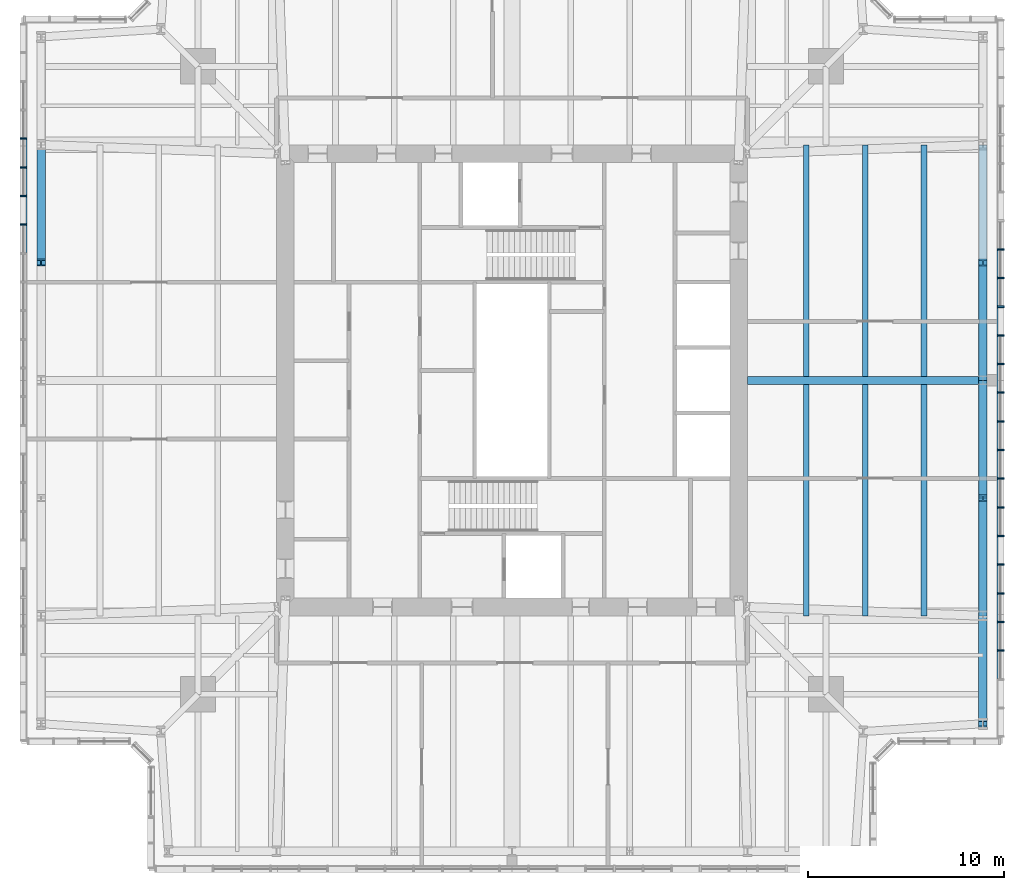
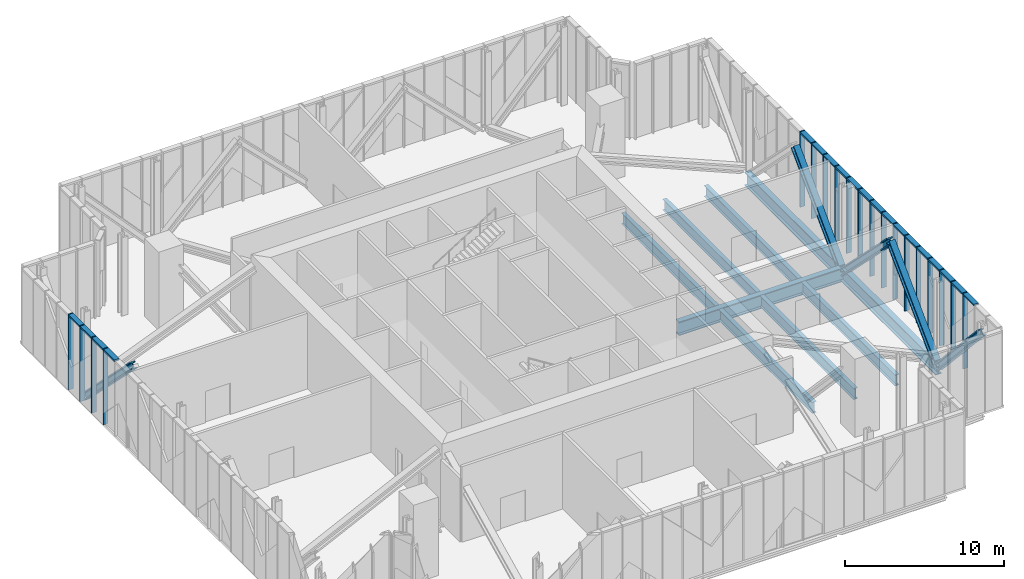
# One storey, part 5 of 18: 43 members, 9 beams, 2 elements without a shape of their own.
"""IFC4 building model written with IfcOpenShell, lengths in metres."""

from ifc_helpers import new_model, si_unit, direction, frame, origin, origin_2d, place, context, subcontext, project, spatial, rectangle, i_section, extrude, material, material_profile, profile_set, type_object, element, aggregate, save


model = new_model("IFC4")

# Units and contexts
model_context = context("Model", 3, precision=1e-05, world=origin(), true_north=direction((0.0, 1.0)))
body_context = subcontext(model_context, "Body", "Model", "MODEL_VIEW")
ifc_project = project(units=[si_unit("LENGTHUNIT", "METRE"), si_unit("AREAUNIT", "SQUARE_METRE"), si_unit("VOLUMEUNIT", "CUBIC_METRE"), si_unit("PLANEANGLEUNIT", "RADIAN"), si_unit("MASSUNIT", "GRAM", prefix="KILO")], contexts=[model_context])

# Site, building, storey
site_placement = place(None, origin())
site = spatial("IfcSite", under=ifc_project, at=site_placement, CompositionType="ELEMENT")
building_placement = place(site_placement, origin())
building = spatial("IfcBuilding", under=site, at=building_placement, Name="Fenwick Lantern Interchange", CompositionType="ELEMENT")
storey_placement = place(building_placement, frame((0.0, 0.0, 301.800048828125)))
storey = spatial("IfcBuildingStorey", under=building, at=storey_placement, Name="L73", CompositionType="ELEMENT", Elevation=301.800048828125)

# Members
ifc_material_1 = material(Name="Steel ASTM A992 Grade 50", Category="steel")
ifc_material_profile_1 = material_profile(ifc_material_1, i_section(OverallWidth=0.431884765625, OverallDepth=0.497802734375, WebThickness=0.0556640625, FlangeThickness=0.0888671875, at=origin_2d()), Name="W14X500")
ifc_profile_set_1 = profile_set([ifc_material_profile_1], Name="Steel ASTM A992 Grade 50")
member_type_1 = type_object("IfcMemberType", Name="BELT TRUSS DIAGONAL W14X500", PredefinedType="BRACE", material=ifc_profile_set_1)
member_1_placement = place(storey_placement, frame((49.0, 13.0, -0.650146484375), z_axis=(0.0, -0.675724628517, 0.737154140201), x_axis=(1.0, 0.0, 0.0)))
element("IfcMember", 1, at=member_1_placement, inside=storey, type_object=member_type_1, Name="L73/BT/E/D1", PredefinedType="BRACE", context=body_context, shape_type="SweptSolid", body=[
    extrude(i_section(OverallWidth=0.431884765625, OverallDepth=0.497802734375, WebThickness=0.0556640625, FlangeThickness=0.0888671875, at=origin_2d()), origin(), (0.0, 0.0, 1.0), 8.139404296875),
])
for number, where, z_axis, x_axis, name in (
    (2, (49.0, 13.0, -0.650146484375), (0.0, 0.707106781187, 0.707106781187), (-1.0, 0.0, 0.0), "L73/BT/E/D2"),
    (3, (49.0, 25.0, -0.650146484375), (0.0, -0.707106781187, 0.707106781187), (1.0, 0.0, 0.0), "L73/BT/E/D3"),
    (4, (49.0, 25.0, -0.650146484375), (0.0, 0.707106781187, 0.707106781187), (-1.0, 0.0, 0.0), "L73/BT/E/D4"),
    (5, (1.0, 37.0, -0.650146484375), (0.0, -0.707106781187, 0.707106781187), (1.0, 0.0, 0.0), "L73/BT/W/D2"),
):
    element("IfcMember", number, at=place(storey_placement, frame(where, z_axis=z_axis, x_axis=x_axis)), inside=storey, type_object=member_type_1, Name=name, PredefinedType="BRACE", context=body_context, shape_type="SweptSolid", body=[
        extrude(i_section(OverallWidth=0.431884765625, OverallDepth=0.497802734375, WebThickness=0.0556640625, FlangeThickness=0.0888671875, at=origin_2d()), origin(), (0.0, 0.0, 1.0), 8.4853515625),
    ])

# Beams
ifc_material_profile_2 = material_profile(ifc_material_1, i_section(OverallWidth=0.408935546875, OverallDepth=1.04150390625, WebThickness=0.031005859375, FlangeThickness=0.055908203125, at=origin_2d()), Name="W40X397")
ifc_profile_set_2 = profile_set([ifc_material_profile_2], Name="Steel ASTM A992 Grade 50")
beam_type_1 = type_object("IfcBeamType", Name="EDGE BEAM W40X397", PredefinedType="SPANDREL", material=ifc_profile_set_2)
for number, where, z_axis, x_axis, name in (
    (6, (49.0, 13.0, -0.720703125), (0.0, 1.0, 0.0), (-1.0, 0.0, 0.0), "L73/FR/E/EB2"),
    (7, (49.0, 25.0, -0.720703125), (0.0, 1.0, 0.0), (-1.0, 0.0, 0.0), "L73/FR/E/EB3"),
):
    element("IfcBeam", number, at=place(storey_placement, frame(where, z_axis=z_axis, x_axis=x_axis)), inside=storey, type_object=beam_type_1, Name=name, PredefinedType="SPANDREL", context=body_context, shape_type="SweptSolid", body=[
        extrude(i_section(OverallWidth=0.408935546875, OverallDepth=1.04150390625, WebThickness=0.031005859375, FlangeThickness=0.055908203125, at=origin_2d()), origin(), (0.0, 0.0, 1.0), 12.0),
    ])
ifc_material_profile_3 = material_profile(ifc_material_1, i_section(OverallWidth=0.2919921875, OverallDepth=0.845703125, WebThickness=0.015380859375, FlangeThickness=0.0244140625, at=origin_2d()), Name="W33X141")
ifc_profile_set_3 = profile_set([ifc_material_profile_3], Name="Steel ASTM A992 Grade 50")
beam_type_2 = type_object("IfcBeamType", Name="FLOOR BEAM W33X141", PredefinedType="BEAM", material=ifc_profile_set_3)
for number, where, z_axis, x_axis, name in (
    (8, (46.0, 13.0, -0.623046875), (0.0, 1.0, 0.0), (-1.0, 0.0, 0.0), "L73/FR/E/B01"),
    (9, (43.0, 13.0, -0.623046875), (0.0, 1.0, 0.0), (-1.0, 0.0, 0.0), "L73/FR/E/B02"),
    (10, (40.0, 13.0, -0.623046875), (0.0, 1.0, 0.0), (-1.0, 0.0, 0.0), "L73/FR/E/B03"),
    (11, (46.0, 25.20458984375, -0.623046875), (0.0, 1.0, 0.0), (-1.0, 0.0, 0.0), "L73/FR/E/B04"),
    (12, (43.0, 25.20458984375, -0.623046875), (0.0, 1.0, 0.0), (-1.0, 0.0, 0.0), "L73/FR/E/B05"),
    (13, (40.0, 25.20458984375, -0.623046875), (0.0, 1.0, 0.0), (-1.0, 0.0, 0.0), "L73/FR/E/B06"),
):
    element("IfcBeam", number, at=place(storey_placement, frame(where, z_axis=z_axis, x_axis=x_axis)), inside=storey, type_object=beam_type_2, Name=name, PredefinedType="BEAM", context=body_context, shape_type="SweptSolid", body=[
        extrude(i_section(OverallWidth=0.2919921875, OverallDepth=0.845703125, WebThickness=0.015380859375, FlangeThickness=0.0244140625, at=origin_2d()), origin(), (0.0, 0.0, 1.0), 11.79541015625),
    ])

# Curtain wall, members
ifc_material_2 = material(Name="Aluminium curtain wall frame", Category="aluminium")
curtain_wall_type = type_object("IfcCurtainWallType", Name="LANTERN GLAZING", PredefinedType="USERDEFINED", material=ifc_material_2)
curtain_wall_1_placement = place(storey_placement, origin())
curtain_wall_1 = element("IfcCurtainWall", 14, at=curtain_wall_1_placement, inside=storey, type_object=curtain_wall_type, Name="Lantern glazing 05", ObjectType="LANTERN GLAZING", PredefinedType="USERDEFINED")
ifc_material_3 = material(Name="Aluminium extrusion", Category="aluminium")
ifc_material_profile_4 = material_profile(ifc_material_3, rectangle(XDim=0.35009765625, YDim=0.080078125, at=origin_2d()), Name="LANTERN GLAZING MULLION 80 X 350")
ifc_profile_set_4 = profile_set([ifc_material_profile_4], Name="Aluminium extrusion")
member_type_2 = type_object("IfcMemberType", Name="LANTERN GLAZING MULLION 80 X 350", PredefinedType="MULLION", material=ifc_profile_set_4)
member_2_placement = place(storey_placement, frame((49.89990234375, 11.222412109375, 0.0), z_axis=(0.0, 0.0, 1.0), x_axis=(-1.0, 0.0, 0.0)))
member_2 = element("IfcMember", 15, at=member_2_placement, type_object=member_type_2, Name="L73/CW/05/M03", PredefinedType="MULLION", context=body_context, shape_type="SweptSolid", body=[
    extrude(rectangle(XDim=0.35009765625, YDim=0.080078125, at=origin_2d()), origin(), (0.0, 0.0, 1.0), 5.800048828125),
])
member_3_placement = place(storey_placement, frame((49.89990234375, 12.68310546875, 0.0), z_axis=(0.0, 0.0, 1.0), x_axis=(-1.0, 0.0, 0.0)))
member_3 = element("IfcMember", 16, at=member_3_placement, type_object=member_type_2, Name="L73/CW/05/M04", PredefinedType="MULLION", context=body_context, shape_type="SweptSolid", body=[
    extrude(rectangle(XDim=0.35009765625, YDim=0.080078125, at=origin_2d()), origin(), (0.0, 0.0, 1.0), 5.800048828125),
])
member_4_placement = place(storey_placement, frame((49.89990234375, 14.14404296875, 0.0), z_axis=(0.0, 0.0, 1.0), x_axis=(-1.0, 0.0, 0.0)))
member_4 = element("IfcMember", 17, at=member_4_placement, type_object=member_type_2, Name="L73/CW/05/M05", PredefinedType="MULLION", context=body_context, shape_type="SweptSolid", body=[
    extrude(rectangle(XDim=0.35009765625, YDim=0.080078125, at=origin_2d()), origin(), (0.0, 0.0, 1.0), 5.800048828125),
])
member_5_placement = place(storey_placement, frame((49.89990234375, 15.604736328125, 0.0), z_axis=(0.0, 0.0, 1.0), x_axis=(-1.0, 0.0, 0.0)))
member_5 = element("IfcMember", 18, at=member_5_placement, type_object=member_type_2, Name="L73/CW/05/M06", PredefinedType="MULLION", context=body_context, shape_type="SweptSolid", body=[
    extrude(rectangle(XDim=0.35009765625, YDim=0.080078125, at=origin_2d()), origin(), (0.0, 0.0, 1.0), 5.800048828125),
])
member_6_placement = place(storey_placement, frame((49.89990234375, 17.065673828125, 0.0), z_axis=(0.0, 0.0, 1.0), x_axis=(-1.0, 0.0, 0.0)))
member_6 = element("IfcMember", 19, at=member_6_placement, type_object=member_type_2, Name="L73/CW/05/M07", PredefinedType="MULLION", context=body_context, shape_type="SweptSolid", body=[
    extrude(rectangle(XDim=0.35009765625, YDim=0.080078125, at=origin_2d()), origin(), (0.0, 0.0, 1.0), 5.800048828125),
])
member_7_placement = place(storey_placement, frame((49.89990234375, 18.5263671875, 0.0), z_axis=(0.0, 0.0, 1.0), x_axis=(-1.0, 0.0, 0.0)))
member_7 = element("IfcMember", 20, at=member_7_placement, type_object=member_type_2, Name="L73/CW/05/M08", PredefinedType="MULLION", context=body_context, shape_type="SweptSolid", body=[
    extrude(rectangle(XDim=0.35009765625, YDim=0.080078125, at=origin_2d()), origin(), (0.0, 0.0, 1.0), 5.800048828125),
])
member_8_placement = place(storey_placement, frame((49.89990234375, 19.9873046875, 0.0), z_axis=(0.0, 0.0, 1.0), x_axis=(-1.0, 0.0, 0.0)))
member_8 = element("IfcMember", 21, at=member_8_placement, type_object=member_type_2, Name="L73/CW/05/M09", PredefinedType="MULLION", context=body_context, shape_type="SweptSolid", body=[
    extrude(rectangle(XDim=0.35009765625, YDim=0.080078125, at=origin_2d()), origin(), (0.0, 0.0, 1.0), 5.800048828125),
])
member_9_placement = place(storey_placement, frame((49.89990234375, 21.447998046875, 0.0), z_axis=(0.0, 0.0, 1.0), x_axis=(-1.0, 0.0, 0.0)))
member_9 = element("IfcMember", 22, at=member_9_placement, type_object=member_type_2, Name="L73/CW/05/M10", PredefinedType="MULLION", context=body_context, shape_type="SweptSolid", body=[
    extrude(rectangle(XDim=0.35009765625, YDim=0.080078125, at=origin_2d()), origin(), (0.0, 0.0, 1.0), 5.800048828125),
])
member_10_placement = place(storey_placement, frame((49.89990234375, 22.90869140625, 0.0), z_axis=(0.0, 0.0, 1.0), x_axis=(-1.0, 0.0, 0.0)))
member_10 = element("IfcMember", 23, at=member_10_placement, type_object=member_type_2, Name="L73/CW/05/M11", PredefinedType="MULLION", context=body_context, shape_type="SweptSolid", body=[
    extrude(rectangle(XDim=0.35009765625, YDim=0.080078125, at=origin_2d()), origin(), (0.0, 0.0, 1.0), 5.800048828125),
])
member_11_placement = place(storey_placement, frame((49.89990234375, 24.36962890625, 0.0), z_axis=(0.0, 0.0, 1.0), x_axis=(-1.0, 0.0, 0.0)))
member_11 = element("IfcMember", 24, at=member_11_placement, type_object=member_type_2, Name="L73/CW/05/M12", PredefinedType="MULLION", context=body_context, shape_type="SweptSolid", body=[
    extrude(rectangle(XDim=0.35009765625, YDim=0.080078125, at=origin_2d()), origin(), (0.0, 0.0, 1.0), 5.800048828125),
])
member_12_placement = place(storey_placement, frame((49.89990234375, 25.830322265625, 0.0), z_axis=(0.0, 0.0, 1.0), x_axis=(-1.0, 0.0, 0.0)))
member_12 = element("IfcMember", 25, at=member_12_placement, type_object=member_type_2, Name="L73/CW/05/M13", PredefinedType="MULLION", context=body_context, shape_type="SweptSolid", body=[
    extrude(rectangle(XDim=0.35009765625, YDim=0.080078125, at=origin_2d()), origin(), (0.0, 0.0, 1.0), 5.800048828125),
])
member_13_placement = place(storey_placement, frame((49.89990234375, 27.291259765625, 0.0), z_axis=(0.0, 0.0, 1.0), x_axis=(-1.0, 0.0, 0.0)))
member_13 = element("IfcMember", 26, at=member_13_placement, type_object=member_type_2, Name="L73/CW/05/M14", PredefinedType="MULLION", context=body_context, shape_type="SweptSolid", body=[
    extrude(rectangle(XDim=0.35009765625, YDim=0.080078125, at=origin_2d()), origin(), (0.0, 0.0, 1.0), 5.800048828125),
])
member_14_placement = place(storey_placement, frame((49.89990234375, 28.751953125, 0.0), z_axis=(0.0, 0.0, 1.0), x_axis=(-1.0, 0.0, 0.0)))
member_14 = element("IfcMember", 27, at=member_14_placement, type_object=member_type_2, Name="L73/CW/05/M15", PredefinedType="MULLION", context=body_context, shape_type="SweptSolid", body=[
    extrude(rectangle(XDim=0.35009765625, YDim=0.080078125, at=origin_2d()), origin(), (0.0, 0.0, 1.0), 5.800048828125),
])
member_15_placement = place(storey_placement, frame((49.89990234375, 30.212890625, 0.0), z_axis=(0.0, 0.0, 1.0), x_axis=(-1.0, 0.0, 0.0)))
member_15 = element("IfcMember", 28, at=member_15_placement, type_object=member_type_2, Name="L73/CW/05/M16", PredefinedType="MULLION", context=body_context, shape_type="SweptSolid", body=[
    extrude(rectangle(XDim=0.35009765625, YDim=0.080078125, at=origin_2d()), origin(), (0.0, 0.0, 1.0), 5.800048828125),
])
member_16_placement = place(storey_placement, frame((49.89990234375, 31.673583984375, 0.0), z_axis=(0.0, 0.0, 1.0), x_axis=(-1.0, 0.0, 0.0)))
member_16 = element("IfcMember", 29, at=member_16_placement, type_object=member_type_2, Name="L73/CW/05/M17", PredefinedType="MULLION", context=body_context, shape_type="SweptSolid", body=[
    extrude(rectangle(XDim=0.35009765625, YDim=0.080078125, at=origin_2d()), origin(), (0.0, 0.0, 1.0), 5.800048828125),
])

curtain_wall_2_placement = place(storey_placement, origin())
curtain_wall_2 = element("IfcCurtainWall", 30, at=curtain_wall_2_placement, inside=storey, type_object=curtain_wall_type, Name="Lantern glazing 13", ObjectType="LANTERN GLAZING", PredefinedType="USERDEFINED")
member_17_placement = place(storey_placement, frame((0.10009765625, 37.31689453125, 0.0), z_axis=(0.0, 0.0, 1.0), x_axis=(1.0, 0.0, 0.0)))
member_17 = element("IfcMember", 31, at=member_17_placement, type_object=member_type_2, Name="L73/CW/13/M04", PredefinedType="MULLION", context=body_context, shape_type="SweptSolid", body=[
    extrude(rectangle(XDim=0.35009765625, YDim=0.080078125, at=origin_2d()), origin(), (0.0, 0.0, 1.0), 5.800048828125),
])
member_18_placement = place(storey_placement, frame((0.10009765625, 35.85595703125, 0.0), z_axis=(0.0, 0.0, 1.0), x_axis=(1.0, 0.0, 0.0)))
member_18 = element("IfcMember", 32, at=member_18_placement, type_object=member_type_2, Name="L73/CW/13/M05", PredefinedType="MULLION", context=body_context, shape_type="SweptSolid", body=[
    extrude(rectangle(XDim=0.35009765625, YDim=0.080078125, at=origin_2d()), origin(), (0.0, 0.0, 1.0), 5.800048828125),
])
member_19_placement = place(storey_placement, frame((0.10009765625, 34.395263671875, 0.0), z_axis=(0.0, 0.0, 1.0), x_axis=(1.0, 0.0, 0.0)))
member_19 = element("IfcMember", 33, at=member_19_placement, type_object=member_type_2, Name="L73/CW/13/M06", PredefinedType="MULLION", context=body_context, shape_type="SweptSolid", body=[
    extrude(rectangle(XDim=0.35009765625, YDim=0.080078125, at=origin_2d()), origin(), (0.0, 0.0, 1.0), 5.800048828125),
])
member_20_placement = place(storey_placement, frame((0.10009765625, 32.934326171875, 0.0), z_axis=(0.0, 0.0, 1.0), x_axis=(1.0, 0.0, 0.0)))
member_20 = element("IfcMember", 34, at=member_20_placement, type_object=member_type_2, Name="L73/CW/13/M07", PredefinedType="MULLION", context=body_context, shape_type="SweptSolid", body=[
    extrude(rectangle(XDim=0.35009765625, YDim=0.080078125, at=origin_2d()), origin(), (0.0, 0.0, 1.0), 5.800048828125),
])

# Member
ifc_material_profile_5 = material_profile(ifc_material_3, rectangle(XDim=0.35009765625, YDim=0.139892578125, at=origin_2d()), Name="LANTERN GLAZING TRANSOM 140 X 350")
ifc_profile_set_5 = profile_set([ifc_material_profile_5], Name="Aluminium extrusion")
member_type_3 = type_object("IfcMemberType", Name="LANTERN GLAZING TRANSOM 140 X 350", PredefinedType="MULLION", material=ifc_profile_set_5)
member_21_placement = place(storey_placement, frame((49.89990234375, 9.801513671875, 5.72998046875), z_axis=(0.0, 1.0, 0.0), x_axis=(-1.0, 0.0, 0.0)))
member_21 = element("IfcMember", 35, at=member_21_placement, type_object=member_type_3, Name="L73/CW/05/T02", PredefinedType="MULLION", context=body_context, shape_type="SweptSolid", body=[
    extrude(rectangle(XDim=0.35009765625, YDim=0.139892578125, at=origin_2d()), origin(), (0.0, 0.0, 1.0), 1.380859375),
])

member_22_placement = place(storey_placement, frame((49.89990234375, 11.262451171875, 5.72998046875), z_axis=(0.0, 1.0, 0.0), x_axis=(-1.0, 0.0, 0.0)))
member_22 = element("IfcMember", 36, at=member_22_placement, type_object=member_type_3, Name="L73/CW/05/T03", PredefinedType="MULLION", context=body_context, shape_type="SweptSolid", body=[
    extrude(rectangle(XDim=0.35009765625, YDim=0.139892578125, at=origin_2d()), origin(), (0.0, 0.0, 1.0), 1.380859375),
])

member_23_placement = place(storey_placement, frame((49.89990234375, 12.72314453125, 5.72998046875), z_axis=(0.0, 1.0, 0.0), x_axis=(-1.0, 0.0, 0.0)))
member_23 = element("IfcMember", 37, at=member_23_placement, type_object=member_type_3, Name="L73/CW/05/T04", PredefinedType="MULLION", context=body_context, shape_type="SweptSolid", body=[
    extrude(rectangle(XDim=0.35009765625, YDim=0.139892578125, at=origin_2d()), origin(), (0.0, 0.0, 1.0), 1.380859375),
])

member_24_placement = place(storey_placement, frame((49.89990234375, 14.18408203125, 5.72998046875), z_axis=(0.0, 1.0, 0.0), x_axis=(-1.0, 0.0, 0.0)))
member_24 = element("IfcMember", 38, at=member_24_placement, type_object=member_type_3, Name="L73/CW/05/T05", PredefinedType="MULLION", context=body_context, shape_type="SweptSolid", body=[
    extrude(rectangle(XDim=0.35009765625, YDim=0.139892578125, at=origin_2d()), origin(), (0.0, 0.0, 1.0), 1.380615234375),
])

member_25_placement = place(storey_placement, frame((49.89990234375, 15.644775390625, 5.72998046875), z_axis=(0.0, 1.0, 0.0), x_axis=(-1.0, 0.0, 0.0)))
member_25 = element("IfcMember", 39, at=member_25_placement, type_object=member_type_3, Name="L73/CW/05/T06", PredefinedType="MULLION", context=body_context, shape_type="SweptSolid", body=[
    extrude(rectangle(XDim=0.35009765625, YDim=0.139892578125, at=origin_2d()), origin(), (0.0, 0.0, 1.0), 1.380859375),
])

member_26_placement = place(storey_placement, frame((49.89990234375, 17.105712890625, 5.72998046875), z_axis=(0.0, 1.0, 0.0), x_axis=(-1.0, 0.0, 0.0)))
member_26 = element("IfcMember", 40, at=member_26_placement, type_object=member_type_3, Name="L73/CW/05/T07", PredefinedType="MULLION", context=body_context, shape_type="SweptSolid", body=[
    extrude(rectangle(XDim=0.35009765625, YDim=0.139892578125, at=origin_2d()), origin(), (0.0, 0.0, 1.0), 1.380615234375),
])

member_27_placement = place(storey_placement, frame((49.89990234375, 18.56640625, 5.72998046875), z_axis=(0.0, 1.0, 0.0), x_axis=(-1.0, 0.0, 0.0)))
member_27 = element("IfcMember", 41, at=member_27_placement, type_object=member_type_3, Name="L73/CW/05/T08", PredefinedType="MULLION", context=body_context, shape_type="SweptSolid", body=[
    extrude(rectangle(XDim=0.35009765625, YDim=0.139892578125, at=origin_2d()), origin(), (0.0, 0.0, 1.0), 1.380859375),
])

member_28_placement = place(storey_placement, frame((49.89990234375, 20.027099609375, 5.72998046875), z_axis=(0.0, 1.0, 0.0), x_axis=(-1.0, 0.0, 0.0)))
member_28 = element("IfcMember", 42, at=member_28_placement, type_object=member_type_3, Name="L73/CW/05/T09", PredefinedType="MULLION", context=body_context, shape_type="SweptSolid", body=[
    extrude(rectangle(XDim=0.35009765625, YDim=0.139892578125, at=origin_2d()), origin(), (0.0, 0.0, 1.0), 1.380859375),
])

member_29_placement = place(storey_placement, frame((49.89990234375, 21.488037109375, 5.72998046875), z_axis=(0.0, 1.0, 0.0), x_axis=(-1.0, 0.0, 0.0)))
member_29 = element("IfcMember", 43, at=member_29_placement, type_object=member_type_3, Name="L73/CW/05/T10", PredefinedType="MULLION", context=body_context, shape_type="SweptSolid", body=[
    extrude(rectangle(XDim=0.35009765625, YDim=0.139892578125, at=origin_2d()), origin(), (0.0, 0.0, 1.0), 1.380859375),
])

member_30_placement = place(storey_placement, frame((49.89990234375, 22.94873046875, 5.72998046875), z_axis=(0.0, 1.0, 0.0), x_axis=(-1.0, 0.0, 0.0)))
member_30 = element("IfcMember", 44, at=member_30_placement, type_object=member_type_3, Name="L73/CW/05/T11", PredefinedType="MULLION", context=body_context, shape_type="SweptSolid", body=[
    extrude(rectangle(XDim=0.35009765625, YDim=0.139892578125, at=origin_2d()), origin(), (0.0, 0.0, 1.0), 1.380859375),
])

member_31_placement = place(storey_placement, frame((49.89990234375, 24.40966796875, 5.72998046875), z_axis=(0.0, 1.0, 0.0), x_axis=(-1.0, 0.0, 0.0)))
member_31 = element("IfcMember", 45, at=member_31_placement, type_object=member_type_3, Name="L73/CW/05/T12", PredefinedType="MULLION", context=body_context, shape_type="SweptSolid", body=[
    extrude(rectangle(XDim=0.35009765625, YDim=0.139892578125, at=origin_2d()), origin(), (0.0, 0.0, 1.0), 1.380615234375),
])

member_32_placement = place(storey_placement, frame((49.89990234375, 25.870361328125, 5.72998046875), z_axis=(0.0, 1.0, 0.0), x_axis=(-1.0, 0.0, 0.0)))
member_32 = element("IfcMember", 46, at=member_32_placement, type_object=member_type_3, Name="L73/CW/05/T13", PredefinedType="MULLION", context=body_context, shape_type="SweptSolid", body=[
    extrude(rectangle(XDim=0.35009765625, YDim=0.139892578125, at=origin_2d()), origin(), (0.0, 0.0, 1.0), 1.380859375),
])

member_33_placement = place(storey_placement, frame((49.89990234375, 27.331298828125, 5.72998046875), z_axis=(0.0, 1.0, 0.0), x_axis=(-1.0, 0.0, 0.0)))
member_33 = element("IfcMember", 47, at=member_33_placement, type_object=member_type_3, Name="L73/CW/05/T14", PredefinedType="MULLION", context=body_context, shape_type="SweptSolid", body=[
    extrude(rectangle(XDim=0.35009765625, YDim=0.139892578125, at=origin_2d()), origin(), (0.0, 0.0, 1.0), 1.380615234375),
])

member_34_placement = place(storey_placement, frame((49.89990234375, 28.7919921875, 5.72998046875), z_axis=(0.0, 1.0, 0.0), x_axis=(-1.0, 0.0, 0.0)))
member_34 = element("IfcMember", 48, at=member_34_placement, type_object=member_type_3, Name="L73/CW/05/T15", PredefinedType="MULLION", context=body_context, shape_type="SweptSolid", body=[
    extrude(rectangle(XDim=0.35009765625, YDim=0.139892578125, at=origin_2d()), origin(), (0.0, 0.0, 1.0), 1.380859375),
])

member_35_placement = place(storey_placement, frame((49.89990234375, 30.252685546875, 5.72998046875), z_axis=(0.0, 1.0, 0.0), x_axis=(-1.0, 0.0, 0.0)))
member_35 = element("IfcMember", 49, at=member_35_placement, type_object=member_type_3, Name="L73/CW/05/T16", PredefinedType="MULLION", context=body_context, shape_type="SweptSolid", body=[
    extrude(rectangle(XDim=0.35009765625, YDim=0.139892578125, at=origin_2d()), origin(), (0.0, 0.0, 1.0), 1.380859375),
])

aggregate(curtain_wall_1, [member_2, member_3, member_4, member_5, member_6, member_7, member_8, member_9, member_10, member_11, member_12, member_13, member_14, member_15, member_16, member_21, member_22, member_23, member_24, member_25, member_26, member_27, member_28, member_29, member_30, member_31, member_32, member_33, member_34, member_35])

member_36_placement = place(storey_placement, frame((0.10009765625, 37.27685546875, 5.72998046875), z_axis=(0.0, -1.0, 0.0), x_axis=(1.0, 0.0, 0.0)))
member_36 = element("IfcMember", 50, at=member_36_placement, type_object=member_type_3, Name="L73/CW/13/T04", PredefinedType="MULLION", context=body_context, shape_type="SweptSolid", body=[
    extrude(rectangle(XDim=0.35009765625, YDim=0.139892578125, at=origin_2d()), origin(), (0.0, 0.0, 1.0), 1.380859375),
])

member_37_placement = place(storey_placement, frame((0.10009765625, 35.81591796875, 5.72998046875), z_axis=(0.0, -1.0, 0.0), x_axis=(1.0, 0.0, 0.0)))
member_37 = element("IfcMember", 51, at=member_37_placement, type_object=member_type_3, Name="L73/CW/13/T05", PredefinedType="MULLION", context=body_context, shape_type="SweptSolid", body=[
    extrude(rectangle(XDim=0.35009765625, YDim=0.139892578125, at=origin_2d()), origin(), (0.0, 0.0, 1.0), 1.380615234375),
])

member_38_placement = place(storey_placement, frame((0.10009765625, 34.355224609375, 5.72998046875), z_axis=(0.0, -1.0, 0.0), x_axis=(1.0, 0.0, 0.0)))
member_38 = element("IfcMember", 52, at=member_38_placement, type_object=member_type_3, Name="L73/CW/13/T06", PredefinedType="MULLION", context=body_context, shape_type="SweptSolid", body=[
    extrude(rectangle(XDim=0.35009765625, YDim=0.139892578125, at=origin_2d()), origin(), (0.0, 0.0, 1.0), 1.380859375),
])

member_39_placement = place(storey_placement, frame((0.10009765625, 32.894287109375, 5.72998046875), z_axis=(0.0, -1.0, 0.0), x_axis=(1.0, 0.0, 0.0)))
member_39 = element("IfcMember", 53, at=member_39_placement, type_object=member_type_3, Name="L73/CW/13/T07", PredefinedType="MULLION", context=body_context, shape_type="SweptSolid", body=[
    extrude(rectangle(XDim=0.35009765625, YDim=0.139892578125, at=origin_2d()), origin(), (0.0, 0.0, 1.0), 1.380615234375),
])

aggregate(curtain_wall_2, [member_17, member_18, member_19, member_20, member_36, member_37, member_38, member_39])

# Beam
ifc_material_profile_6 = material_profile(ifc_material_1, i_section(OverallWidth=0.408935546875, OverallDepth=1.04150390625, WebThickness=0.031005859375, FlangeThickness=0.055908203125, at=origin_2d()), Name="W40X397")
ifc_profile_set_6 = profile_set([ifc_material_profile_6], Name="Steel ASTM A992 Grade 50")
beam_type_3 = type_object("IfcBeamType", Name="MOMENT-CONNECTED GIRDER W40X397", PredefinedType="BEAM", material=ifc_profile_set_6)
beam_placement = place(storey_placement, frame((49.0, 25.0, -0.720703125), z_axis=(-1.0, 0.0, 0.0), x_axis=(0.0, -1.0, 0.0)))
element("IfcBeam", 54, at=beam_placement, inside=storey, type_object=beam_type_3, Name="L73/FR/E/R02", PredefinedType="BEAM", context=body_context, shape_type="SweptSolid", body=[
    extrude(i_section(OverallWidth=0.408935546875, OverallDepth=1.04150390625, WebThickness=0.031005859375, FlangeThickness=0.055908203125, at=origin_2d()), origin(), (0.0, 0.0, 1.0), 12.0),
])

save(model, "model.ifc")
